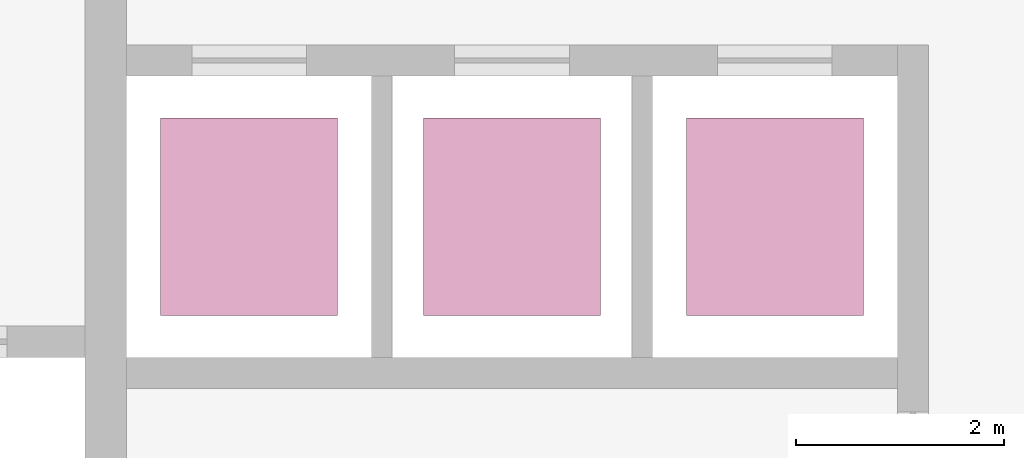
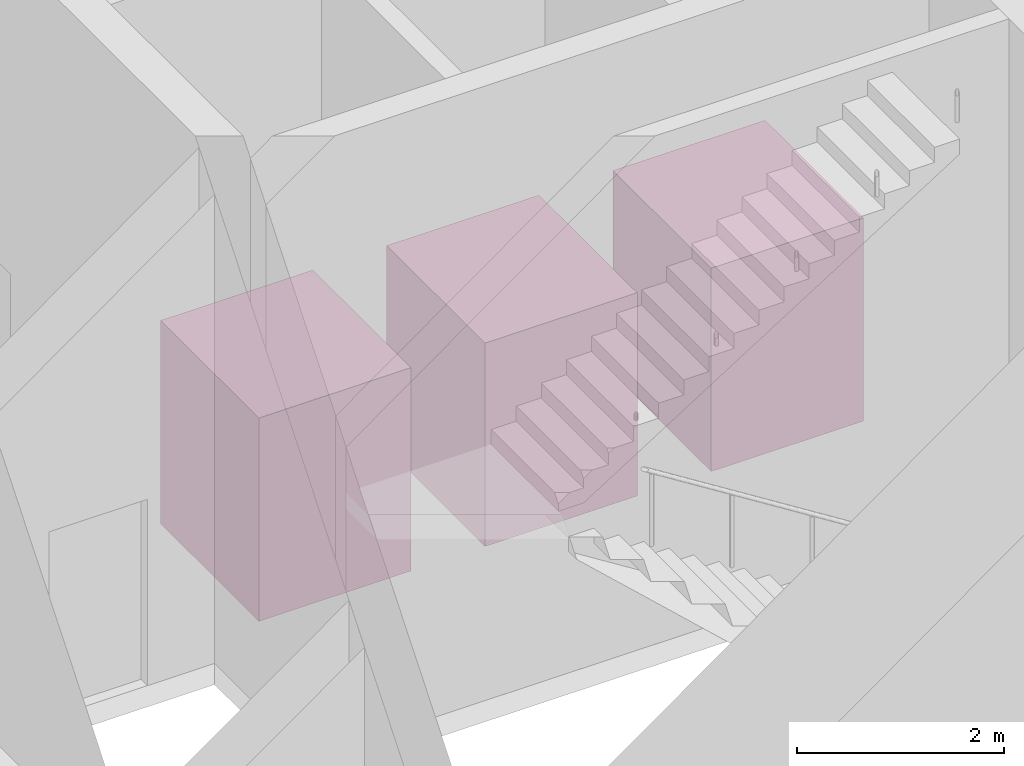
# One storey, part 19 of 19: 3 transport elements.
"""IFC4 building model written with IfcOpenShell, lengths in metres."""

from ifc_helpers import new_model, si_unit, direction, frame, origin, origin_2d, place, context, subcontext, project, spatial, rectangle, extrude, material, type_object, element, save


model = new_model("IFC4")

# Units and contexts
model_context = context("Model", 3, precision=1e-05, world=origin(), true_north=direction((0.0, 1.0)))
body_context = subcontext(model_context, "Body", "Model", "MODEL_VIEW")
ifc_project = project(units=[si_unit("LENGTHUNIT", "METRE"), si_unit("AREAUNIT", "SQUARE_METRE"), si_unit("VOLUMEUNIT", "CUBIC_METRE"), si_unit("PLANEANGLEUNIT", "RADIAN"), si_unit("MASSUNIT", "GRAM", prefix="KILO")], contexts=[model_context])

# Site, building, storey
site_placement = place(None, origin())
site = spatial("IfcSite", under=ifc_project, at=site_placement, CompositionType="ELEMENT")
building_placement = place(site_placement, origin())
building = spatial("IfcBuilding", under=site, at=building_placement, Name="Golbaran Civic Tower", CompositionType="ELEMENT")
storey_placement = place(building_placement, origin())
storey = spatial("IfcBuildingStorey", under=building, at=storey_placement, Name="L00", CompositionType="ELEMENT", Elevation=0.0)

# Transport elements
ifc_material = material(Name="Steel car, stainless steel finish", Category="steel")
transport_element_type = type_object("IfcTransportElementType", Name="SHUTTLE LIFT 1600 KG", PredefinedType="ELEVATOR", material=ifc_material)
for number, where, z_axis, x_axis, name in (
    (1, (-5.02490234375, -3.10009765625, 0.0), (0.0, 0.0, 1.0), (1.0, 0.0, 0.0), "Lift H1"),
    (2, (-2.5, -3.10009765625, 0.0), (0.0, 0.0, 1.0), (1.0, 0.0, 0.0), "Lift H2"),
    (3, (0.02490234375, -3.10009765625, 0.0), (0.0, 0.0, 1.0), (1.0, 0.0, 0.0), "Lift H3"),
):
    element("IfcTransportElement", number, at=place(storey_placement, frame(where, z_axis=z_axis, x_axis=x_axis)), inside=storey, type_object=transport_element_type, Name=name, PredefinedType="ELEVATOR", context=body_context, shape_type="SweptSolid", body=[
        extrude(rectangle(XDim=1.699951171875, YDim=1.89990234375, at=origin_2d()), origin(), (0.0, 0.0, 1.0), 2.39990234375),
    ])

save(model, "model.ifc")
